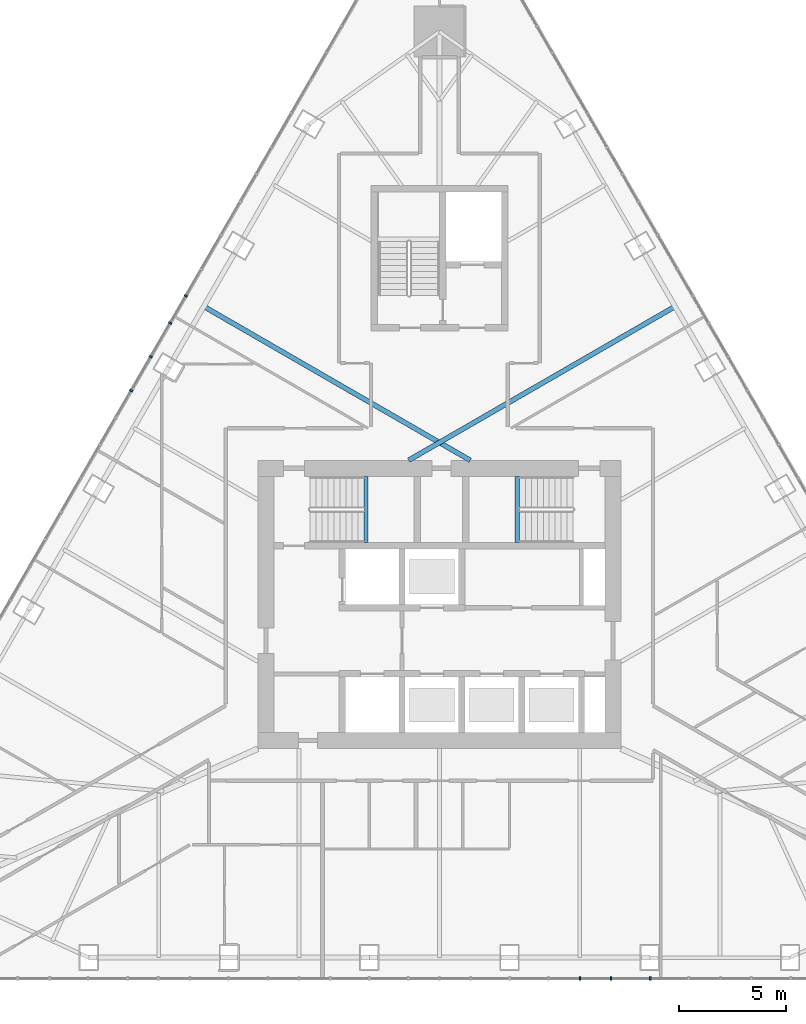
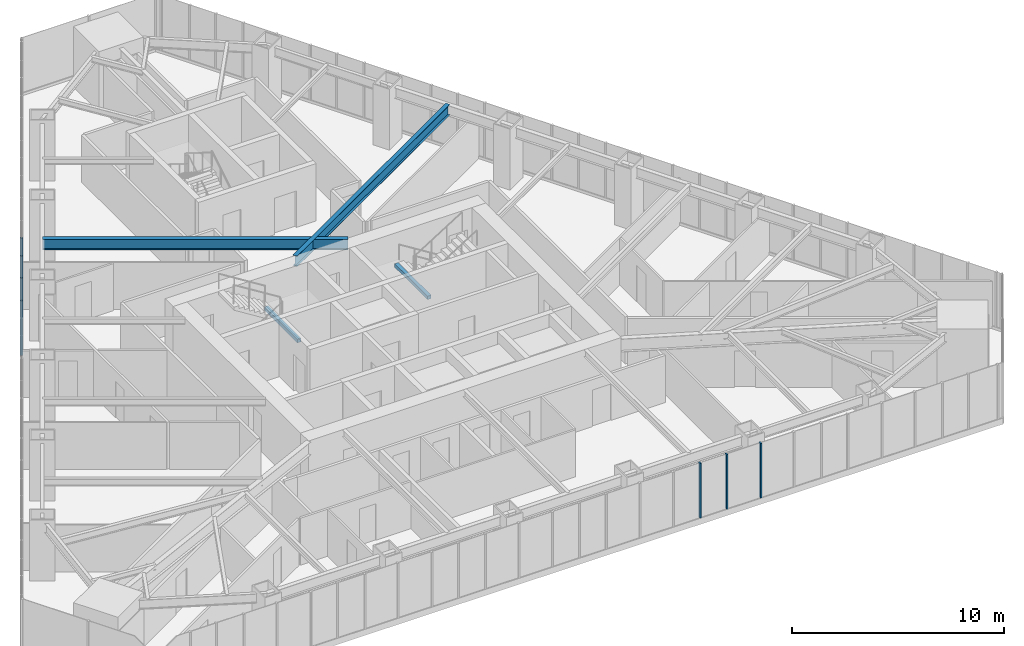
# One storey, part 7 of 21: 7 members, 4 beams, 2 elements without a shape of their own.
"""IFC4 building model written with IfcOpenShell, lengths in metres."""

from ifc_helpers import new_model, si_unit, direction, frame, origin, origin_2d, place, context, subcontext, project, spatial, rectangle, i_section, extrude, material, layer, layer_set, material_profile, profile_set, type_object, element, aggregate, save


model = new_model("IFC4")

# Units and contexts
model_context = context("Model", 3, precision=1e-05, world=origin(), true_north=direction((0.0, 1.0)))
body_context = subcontext(model_context, "Body", "Model", "MODEL_VIEW")
ifc_project = project(units=[si_unit("LENGTHUNIT", "METRE"), si_unit("AREAUNIT", "SQUARE_METRE"), si_unit("VOLUMEUNIT", "CUBIC_METRE"), si_unit("PLANEANGLEUNIT", "RADIAN"), si_unit("MASSUNIT", "GRAM", prefix="KILO")], contexts=[model_context])

# Site, building, storey
site_placement = place(None, origin())
site = spatial("IfcSite", under=ifc_project, at=site_placement, CompositionType="ELEMENT")
building_placement = place(site_placement, origin())
building = spatial("IfcBuilding", under=site, at=building_placement, Name="Firuza Gate Tower and Library", CompositionType="ELEMENT")
storey_placement = place(building_placement, frame((0.0, 0.0, 274.10009765625)))
storey = spatial("IfcBuildingStorey", under=building, at=storey_placement, Name="L65", CompositionType="ELEMENT", Elevation=274.10009765625)

# Curtain wall, members
ifc_material_1 = material(Name="Aluminium 6063-T6", Category="aluminium")
ifc_layer = layer(ifc_material_1, 0.14990234375)
ifc_layer_set = layer_set([ifc_layer], Name="Unitised curtain wall, residences")
curtain_wall_type = type_object("IfcCurtainWallType", Name="Unitised curtain wall, residences", PredefinedType="NOTDEFINED", material=ifc_layer_set)
placement = place(storey_placement, origin())
curtain_wall_1 = element("IfcCurtainWall", 1, at=placement, inside=storey, type_object=curtain_wall_type, Name="CW3 L65 S face", PredefinedType="NOTDEFINED")
ifc_material_2 = material(Name="Aluminium 6063-T6", Category="aluminium")
ifc_material_profile_1 = material_profile(ifc_material_2, rectangle(XDim=0.14990234375, YDim=0.080078125, at=origin_2d()))
ifc_profile_set_1 = profile_set([ifc_material_profile_1], Name="Aluminium 6063-T6")
member_type = type_object("IfcMemberType", Name="Curtain wall mullion 80x150", PredefinedType="MULLION", material=ifc_profile_set_1)
member_1_placement = place(storey_placement, frame((81.57763671875, 57.501220703125, 0.14990234375), z_axis=(0.0, 0.0, 1.0), x_axis=(0.0, 1.0, 0.0)))
member_1 = element("IfcMember", 2, at=member_1_placement, type_object=member_type, Name="Mullion", PredefinedType="MULLION", context=body_context, shape_type="SweptSolid", body=[
    extrude(rectangle(XDim=0.14990234375, YDim=0.080078125, at=origin_2d()), origin(), (0.0, 0.0, 1.0), 3.14990234375),
])
member_2_placement = place(storey_placement, frame((84.866455078125, 57.501220703125, 0.14990234375), z_axis=(0.0, 0.0, 1.0), x_axis=(0.0, 1.0, 0.0)))
member_2 = element("IfcMember", 3, at=member_2_placement, type_object=member_type, Name="Mullion", PredefinedType="MULLION", context=body_context, shape_type="SweptSolid", body=[
    extrude(rectangle(XDim=0.14990234375, YDim=0.080078125, at=origin_2d()), origin(), (0.0, 0.0, 1.0), 3.14990234375),
])
member_3_placement = place(storey_placement, frame((83.0234375, 57.501220703125, 0.14990234375), z_axis=(0.0, 0.0, 1.0), x_axis=(0.0, 1.0, 0.0)))
member_3 = element("IfcMember", 4, at=member_3_placement, type_object=member_type, Name="Mullion", PredefinedType="MULLION", context=body_context, shape_type="SweptSolid", body=[
    extrude(rectangle(XDim=0.14990234375, YDim=0.080078125, at=origin_2d()), origin(), (0.0, 0.0, 1.0), 3.14990234375),
])
aggregate(curtain_wall_1, [member_1, member_2, member_3])

curtain_wall_2 = element("IfcCurtainWall", 5, at=placement, inside=storey, type_object=curtain_wall_type, Name="CW3 L65 W face", PredefinedType="NOTDEFINED")
member_4_placement = place(storey_placement, frame((63.134521484375, 89.44580078125, 0.14990234375), z_axis=(0.0, 0.0, 1.0), x_axis=(0.866025403784, -0.5, 0.0)))
member_4 = element("IfcMember", 6, at=member_4_placement, type_object=member_type, Name="Mullion", PredefinedType="MULLION", context=body_context, shape_type="SweptSolid", body=[
    extrude(rectangle(XDim=0.14990234375, YDim=0.080078125, at=origin_2d()), origin(), (0.0, 0.0, 1.0), 3.14990234375),
])
member_5_placement = place(storey_placement, frame((61.490234375, 86.59765625, 0.14990234375), z_axis=(0.0, 0.0, 1.0), x_axis=(0.866025403784, -0.5, 0.0)))
member_5 = element("IfcMember", 7, at=member_5_placement, type_object=member_type, Name="Mullion", PredefinedType="MULLION", context=body_context, shape_type="SweptSolid", body=[
    extrude(rectangle(XDim=0.14990234375, YDim=0.080078125, at=origin_2d()), origin(), (0.0, 0.0, 1.0), 3.14990234375),
])
member_6_placement = place(storey_placement, frame((62.399169921875, 88.172119140625, 0.14990234375), z_axis=(0.0, 0.0, 1.0), x_axis=(0.866025403784, -0.5, 0.0)))
member_6 = element("IfcMember", 8, at=member_6_placement, type_object=member_type, Name="Mullion", PredefinedType="MULLION", context=body_context, shape_type="SweptSolid", body=[
    extrude(rectangle(XDim=0.14990234375, YDim=0.080078125, at=origin_2d()), origin(), (0.0, 0.0, 1.0), 3.14990234375),
])
member_7_placement = place(storey_placement, frame((60.57470703125, 85.01220703125, 0.14990234375), z_axis=(0.0, 0.0, 1.0), x_axis=(0.866025403784, -0.5, 0.0)))
member_7 = element("IfcMember", 9, at=member_7_placement, type_object=member_type, Name="Mullion", PredefinedType="MULLION", context=body_context, shape_type="SweptSolid", body=[
    extrude(rectangle(XDim=0.14990234375, YDim=0.080078125, at=origin_2d()), origin(), (0.0, 0.0, 1.0), 3.14990234375),
])
aggregate(curtain_wall_2, [member_4, member_5, member_6, member_7])

# Beams
ifc_material_3 = material(Name="Concrete C35/45", Category="concrete")
ifc_material_profile_2 = material_profile(ifc_material_3, rectangle(XDim=0.199951171875, YDim=0.199951171875, at=origin_2d()))
ifc_profile_set_2 = profile_set([ifc_material_profile_2], Name="Concrete C35/45")
beam_type_1 = type_object("IfcBeamType", Name="Stair landing bearer 200x200", PredefinedType="BEAM", material=ifc_profile_set_2)
for number, where, z_axis, x_axis, name in (
    (10, (71.56005859375, 77.89990234375, 1.449951171875), (0.0, 1.0, 0.0), (-1.0, 0.0, 0.0), "Landing bearer L65 stair 1"),
    (11, (78.639892578125, 81.0, 1.449951171875), (0.0, -1.0, 0.0), (1.0, 0.0, 0.0), "Landing bearer L65 stair 2"),
):
    element("IfcBeam", number, at=place(storey_placement, frame(where, z_axis=z_axis, x_axis=x_axis)), inside=storey, type_object=beam_type_1, Name=name, PredefinedType="BEAM", context=body_context, shape_type="SweptSolid", body=[
        extrude(rectangle(XDim=0.199951171875, YDim=0.199951171875, at=origin_2d()), origin(), (0.0, 0.0, 1.0), 3.10009765625),
    ])
ifc_material_4 = material(Name="Steel S355", Category="steel")
ifc_material_profile_3 = material_profile(ifc_material_4, i_section(OverallWidth=0.22802734375, OverallDepth=0.60302734375, WebThickness=0.010498046875, FlangeThickness=0.014892578125, at=origin_2d()))
ifc_profile_set_3 = profile_set([ifc_material_profile_3], Name="Steel S355")
beam_type_2 = type_object("IfcBeamType", Name="W610x101 Floor beam", PredefinedType="JOIST", material=ifc_profile_set_3)
for number, where, z_axis, x_axis, name in (
    (12, (86.02734375, 88.947509765625, 2.998291015625), (-0.866027142779, -0.499996987961, 0.0), (0.499996987961, -0.866027142779, 0.0), "Floor beam L65 s53"),
    (13, (63.97265625, 88.947509765625, 2.998291015625), (0.866027142779, -0.499996987961, 0.0), (0.499996987961, 0.866027142779, 0.0), "Floor beam L65 s81"),
):
    element("IfcBeam", number, at=place(storey_placement, frame(where, z_axis=z_axis, x_axis=x_axis)), inside=storey, type_object=beam_type_2, Name=name, PredefinedType="JOIST", context=body_context, shape_type="SweptSolid", body=[
        extrude(i_section(OverallWidth=0.22802734375, OverallDepth=0.60302734375, WebThickness=0.010498046875, FlangeThickness=0.014892578125, at=origin_2d()), origin(), (0.0, 0.0, 1.0), 14.39501953125),
    ])

save(model, "model.ifc")
